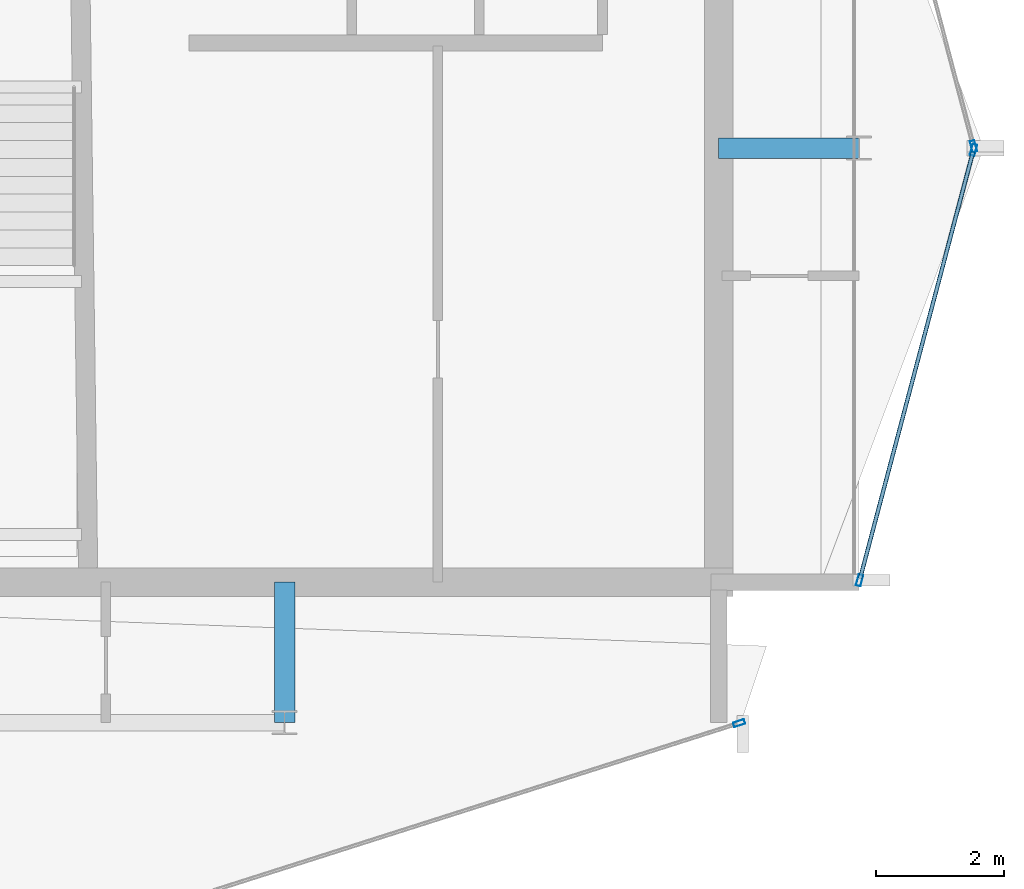
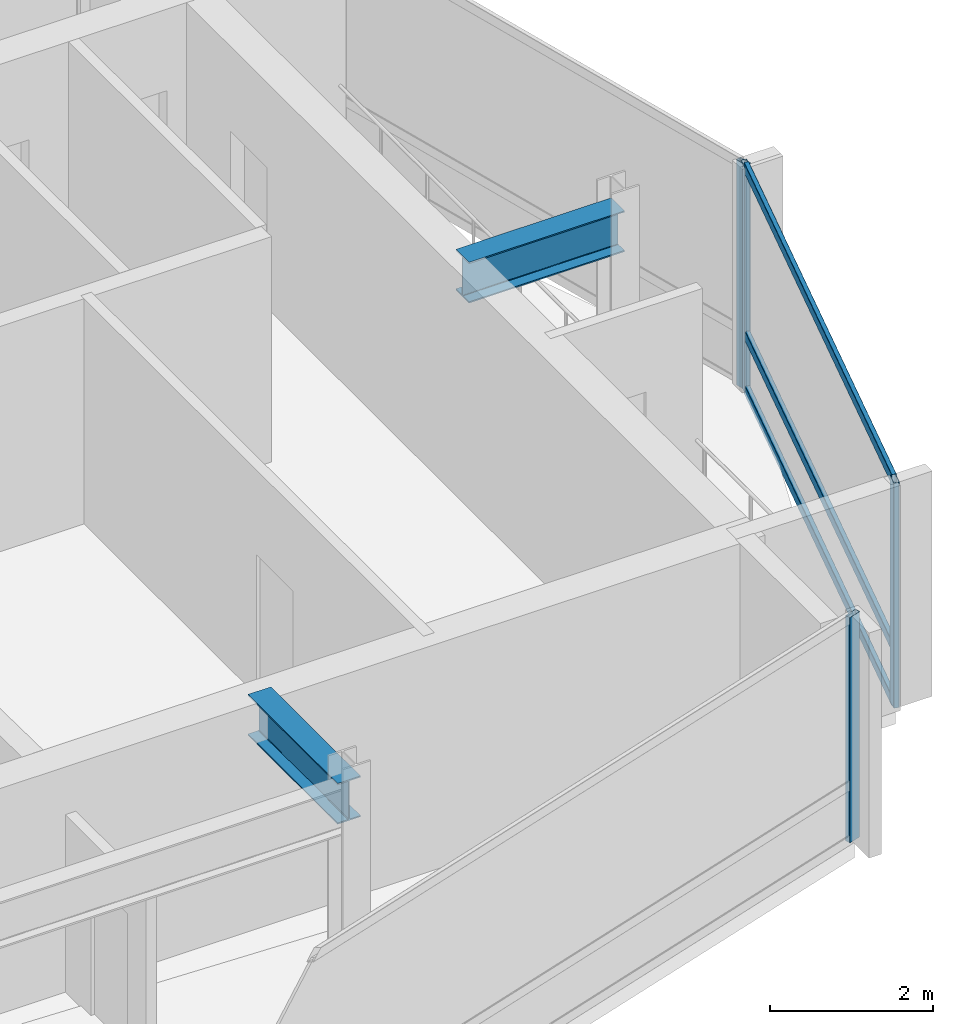
# One storey, part 9 of 19: 7 members, 2 beams, 3 elements without a shape of their own.
"""IFC4 building model written with IfcOpenShell, lengths in metres."""

from ifc_helpers import new_model, si_unit, direction, frame, origin, origin_2d, place, context, subcontext, project, spatial, hollow_rectangle, i_section, extrude, material, layer, layer_set, material_profile, profile_set, type_object, element, aggregate, save


model = new_model("IFC4")

# Units and contexts
model_context = context("Model", 3, precision=1e-05, world=origin(), true_north=direction((0.0, 1.0)))
body_context = subcontext(model_context, "Body", "Model", "MODEL_VIEW")
ifc_project = project(units=[si_unit("LENGTHUNIT", "METRE"), si_unit("AREAUNIT", "SQUARE_METRE"), si_unit("VOLUMEUNIT", "CUBIC_METRE"), si_unit("PLANEANGLEUNIT", "RADIAN"), si_unit("MASSUNIT", "GRAM", prefix="KILO")], contexts=[model_context])

# Site, building, storey
site_placement = place(None, origin())
site = spatial("IfcSite", under=ifc_project, at=site_placement, CompositionType="ELEMENT")
building_placement = place(site_placement, origin())
building = spatial("IfcBuilding", under=site, at=building_placement, Name="Solvaryn Broadcast Tower", CompositionType="ELEMENT")
storey_placement = place(building_placement, frame((0.0, 0.0, 281.5)))
storey = spatial("IfcBuildingStorey", under=building, at=storey_placement, Name="L71", CompositionType="ELEMENT", Elevation=281.5)

# Beams
ifc_material_1 = material(Name="Steel ASTM A992 Grade 50", Category="steel")
ifc_material_profile_1 = material_profile(ifc_material_1, i_section(OverallWidth=0.323974609375, OverallDepth=0.611083984375, WebThickness=0.0126953125, FlangeThickness=0.01904296875, FilletRadius=0.014892578125, at=origin_2d()))
ifc_profile_set_1 = profile_set([ifc_material_profile_1], Name="Steel ASTM A992 Grade 50")
beam_type = type_object("IfcBeamType", Name="BM-B1-W24X104", PredefinedType="BEAM", material=ifc_profile_set_1)
for number, where, z_axis, x_axis, name in (
    (1, (36.0, 9.0, 3.064453125), (0.0, 1.0, 0.0), (-1.0, 0.0, 0.0), "L71 Core Tie Beam CTE1"),
    (2, (42.800048828125, 18.0, 3.064453125), (1.0, 0.0, 0.0), (0.0, 1.0, 0.0), "L71 Core Tie Beam CTE3"),
):
    element("IfcBeam", number, at=place(storey_placement, frame(where, z_axis=z_axis, x_axis=x_axis)), inside=storey, type_object=beam_type, Name=name, PredefinedType="BEAM", context=body_context, shape_type="SweptSolid", body=[
        extrude(i_section(OverallWidth=0.323974609375, OverallDepth=0.611083984375, WebThickness=0.0126953125, FlangeThickness=0.01904296875, FilletRadius=0.014892578125, at=origin_2d()), origin(), (0.0, 0.0, 1.0), 2.199951171875),
    ])

# Curtain wall, member
ifc_material_2 = material(Name="Aluminium and Terracotta Unitised Curtain Wall", Category="masonry")
ifc_layer = layer(ifc_material_2, 0.199951171875)
ifc_layer_set = layer_set([ifc_layer], Name="CW-SYS2-LOWMID")
curtain_wall_type = type_object("IfcCurtainWallType", Name="CW-SYS2-LOWMID", PredefinedType="NOTDEFINED", material=ifc_layer_set)
curtain_wall_1_placement = place(storey_placement, origin())
curtain_wall_1 = element("IfcCurtainWall", 3, at=curtain_wall_1_placement, inside=storey, type_object=curtain_wall_type, Name="L71 Curtain Wall DR4", PredefinedType="NOTDEFINED")
ifc_material_3 = material(Name="Anodised Aluminium 6063-T6", Category="aluminium")
ifc_material_profile_2 = material_profile(ifc_material_3, hollow_rectangle(XDim=0.074951171875, YDim=0.179931640625, WallThickness=0.00390625, InnerFilletRadius=0.00390625, OuterFilletRadius=0.008056640625, at=origin_2d()))
ifc_profile_set_2 = profile_set([ifc_material_profile_2], Name="Anodised Aluminium 6063-T6")
member_type_1 = type_object("IfcMemberType", Name="CW-MUL-180", PredefinedType="MULLION", material=ifc_profile_set_2)
member_1_placement = place(storey_placement, frame((43.120361328125, 8.990966796875, 0.0), z_axis=(0.0, 0.0, 1.0), x_axis=(-0.30361564569, 0.952794594701, 0.0)))
member_1 = element("IfcMember", 4, at=member_1_placement, type_object=member_type_1, Name="CWS2 mullion 2", PredefinedType="MULLION", context=body_context, shape_type="SweptSolid", body=[
    extrude(hollow_rectangle(XDim=0.074951171875, YDim=0.179931640625, WallThickness=0.00390625, InnerFilletRadius=0.00390625, OuterFilletRadius=0.008056640625, at=origin_2d()), origin(), (0.0, 0.0, 1.0), 3.3701171875),
])
aggregate(curtain_wall_1, [member_1])

curtain_wall_2_placement = place(storey_placement, origin())
curtain_wall_2 = element("IfcCurtainWall", 5, at=curtain_wall_2_placement, inside=storey, type_object=curtain_wall_type, Name="L71 Curtain Wall ET1", PredefinedType="NOTDEFINED")
member_2_placement = place(storey_placement, frame((46.792236328125, 18.029052734375, 0.0), z_axis=(0.0, 0.0, 1.0), x_axis=(0.966705227863, 0.25589256031, 0.0)))
member_2 = element("IfcMember", 6, at=member_2_placement, type_object=member_type_1, Name="CWS2 mullion 2", PredefinedType="MULLION", context=body_context, shape_type="SweptSolid", body=[
    extrude(hollow_rectangle(XDim=0.074951171875, YDim=0.179931640625, WallThickness=0.00390625, InnerFilletRadius=0.00390625, OuterFilletRadius=0.008056640625, at=origin_2d()), origin(), (0.0, 0.0, 1.0), 3.3701171875),
])
aggregate(curtain_wall_2, [member_2])

# Curtain wall, members
curtain_wall_3_placement = place(storey_placement, origin())
curtain_wall_3 = element("IfcCurtainWall", 7, at=curtain_wall_3_placement, inside=storey, type_object=curtain_wall_type, Name="L71 Curtain Wall ET2", PredefinedType="NOTDEFINED")
member_3_placement = place(storey_placement, frame((46.792236328125, 17.970947265625, 0.0), z_axis=(0.0, 0.0, 1.0), x_axis=(0.966705227863, -0.25589256031, 0.0)))
member_3 = element("IfcMember", 8, at=member_3_placement, type_object=member_type_1, Name="CWS2 mullion 1", PredefinedType="MULLION", context=body_context, shape_type="SweptSolid", body=[
    extrude(hollow_rectangle(XDim=0.074951171875, YDim=0.179931640625, WallThickness=0.00390625, InnerFilletRadius=0.00390625, OuterFilletRadius=0.008056640625, at=origin_2d()), origin(), (0.0, 0.0, 1.0), 3.3701171875),
])
member_4_placement = place(storey_placement, frame((45.007568359375, 11.22900390625, 0.0), z_axis=(0.0, 0.0, 1.0), x_axis=(0.966705227863, -0.25589256031, 0.0)))
member_4 = element("IfcMember", 9, at=member_4_placement, type_object=member_type_1, Name="CWS2 mullion 2", PredefinedType="MULLION", context=body_context, shape_type="SweptSolid", body=[
    extrude(hollow_rectangle(XDim=0.074951171875, YDim=0.179931640625, WallThickness=0.00390625, InnerFilletRadius=0.00390625, OuterFilletRadius=0.008056640625, at=origin_2d()), origin(), (0.0, 0.0, 1.0), 3.3701171875),
])
ifc_material_4 = material(Name="Anodised Aluminium 6063-T6", Category="aluminium")
ifc_material_profile_3 = material_profile(ifc_material_4, hollow_rectangle(XDim=0.06494140625, YDim=0.14990234375, WallThickness=0.00390625, InnerFilletRadius=0.00390625, OuterFilletRadius=0.008056640625, at=origin_2d()))
ifc_profile_set_3 = profile_set([ifc_material_profile_3], Name="Anodised Aluminium 6063-T6")
member_type_2 = type_object("IfcMemberType", Name="CW-TRN-150", PredefinedType="USERDEFINED", material=ifc_profile_set_3)
member_5_placement = place(storey_placement, frame((46.78466796875, 17.94189453125, 0.030029296875), z_axis=(-0.255897413051, -0.966703943301, 0.0), x_axis=(0.966703943301, -0.255897413051, 0.0)))
member_5 = element("IfcMember", 10, at=member_5_placement, type_object=member_type_2, Name="CWS2 transom 1.1", ObjectType="TRANSOM", PredefinedType="USERDEFINED", context=body_context, shape_type="SweptSolid", body=[
    extrude(hollow_rectangle(XDim=0.06494140625, YDim=0.14990234375, WallThickness=0.00390625, InnerFilletRadius=0.00390625, OuterFilletRadius=0.008056640625, at=origin_2d()), origin(), (0.0, 0.0, 1.0), 6.9140625),
])
member_6_placement = place(storey_placement, frame((46.78466796875, 17.94189453125, 0.85009765625), z_axis=(-0.255897413051, -0.966703943301, 0.0), x_axis=(0.966703943301, -0.255897413051, 0.0)))
member_6 = element("IfcMember", 11, at=member_6_placement, type_object=member_type_2, Name="CWS2 transom 1.2", ObjectType="TRANSOM", PredefinedType="USERDEFINED", context=body_context, shape_type="SweptSolid", body=[
    extrude(hollow_rectangle(XDim=0.06494140625, YDim=0.14990234375, WallThickness=0.00390625, InnerFilletRadius=0.00390625, OuterFilletRadius=0.008056640625, at=origin_2d()), origin(), (0.0, 0.0, 1.0), 6.9140625),
])
member_7_placement = place(storey_placement, frame((46.78466796875, 17.94189453125, 3.340087890625), z_axis=(-0.255897413051, -0.966703943301, 0.0), x_axis=(0.966703943301, -0.255897413051, 0.0)))
member_7 = element("IfcMember", 12, at=member_7_placement, type_object=member_type_2, Name="CWS2 transom 1.3", ObjectType="TRANSOM", PredefinedType="USERDEFINED", context=body_context, shape_type="SweptSolid", body=[
    extrude(hollow_rectangle(XDim=0.06494140625, YDim=0.14990234375, WallThickness=0.00390625, InnerFilletRadius=0.00390625, OuterFilletRadius=0.008056640625, at=origin_2d()), origin(), (0.0, 0.0, 1.0), 6.9140625),
])
aggregate(curtain_wall_3, [member_3, member_4, member_5, member_6, member_7])

save(model, "model.ifc")
